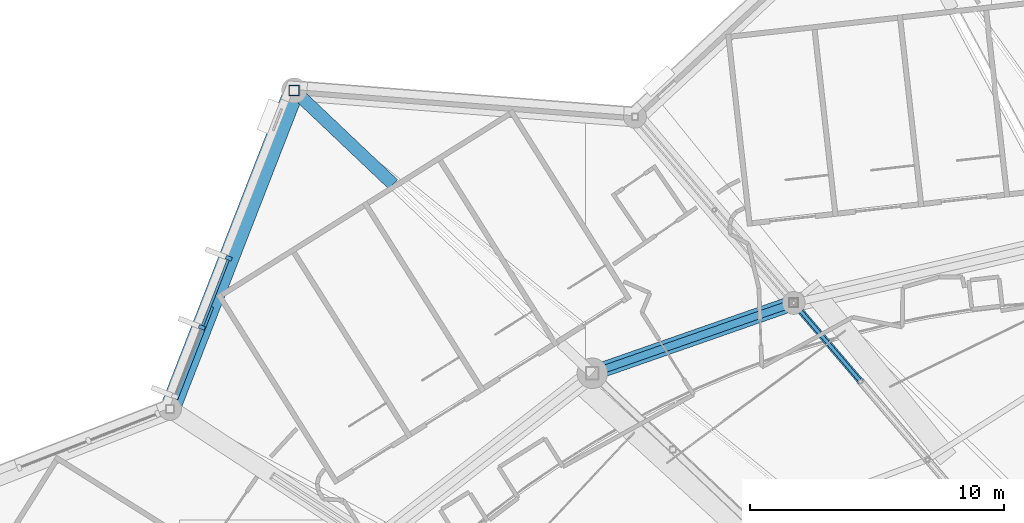
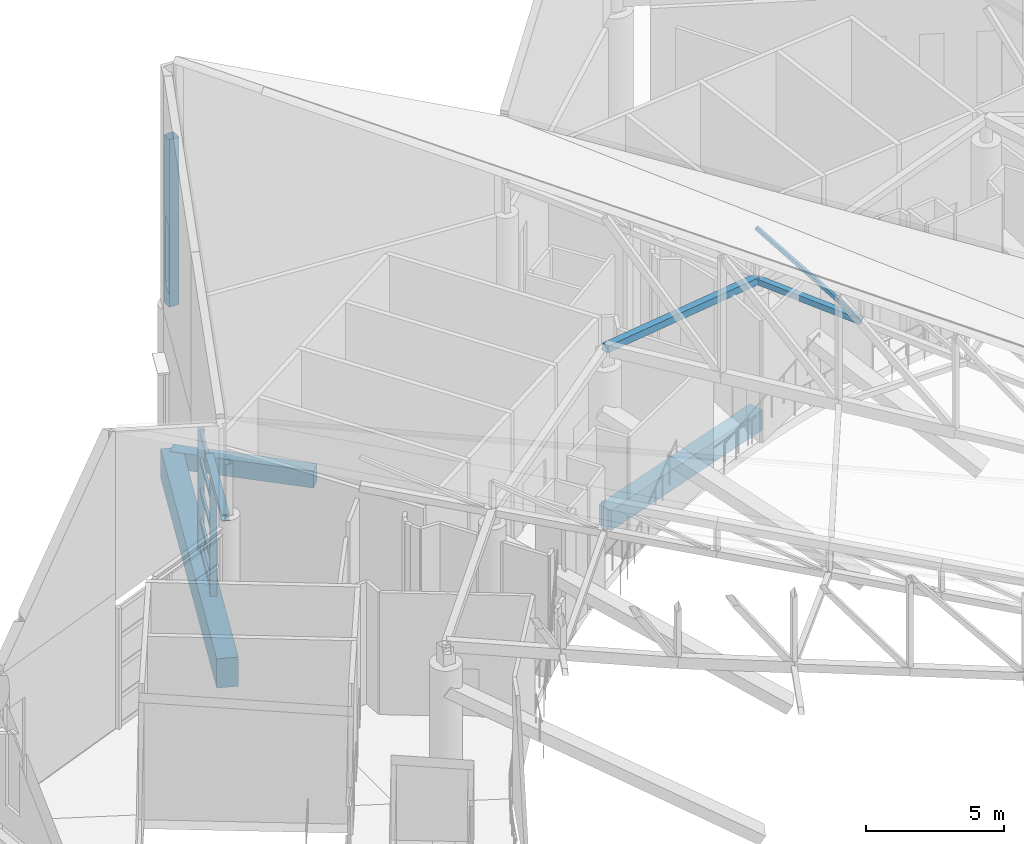
# One storey, part 158 of 344: 11 members, 4 beams, 1 element without a shape of its own.
"""IFC4 building model written with IfcOpenShell, lengths in metres."""

from ifc_helpers import new_model, si_unit, direction, frame, origin, origin_2d, place, context, subcontext, project, spatial, rectangle, hollow_rectangle, i_section, extrude, material, layer, layer_set, material_profile, profile_set, type_object, element, aggregate, save


model = new_model("IFC4")

# Units and contexts
model_context = context("Model", 3, precision=1e-05, world=origin(), true_north=direction((0.0, 1.0)))
body_context = subcontext(model_context, "Body", "Model", "MODEL_VIEW")
ifc_project = project(units=[si_unit("LENGTHUNIT", "METRE"), si_unit("AREAUNIT", "SQUARE_METRE"), si_unit("VOLUMEUNIT", "CUBIC_METRE"), si_unit("PLANEANGLEUNIT", "RADIAN"), si_unit("MASSUNIT", "GRAM", prefix="KILO")], contexts=[model_context])

# Site, building, storey
site_placement = place(None, origin())
site = spatial("IfcSite", under=ifc_project, at=site_placement, CompositionType="ELEMENT")
building_placement = place(site_placement, origin())
building = spatial("IfcBuilding", under=site, at=building_placement, Name="Meseta Stadium", CompositionType="ELEMENT")
storey_placement = place(building_placement, frame((0.0, 0.0, 24.0)))
storey = spatial("IfcBuildingStorey", under=building, at=storey_placement, Name="L04", CompositionType="ELEMENT", Elevation=24.0)

# Beam
ifc_material_1 = material(Name="Steel S355", Category="steel")
ifc_material_profile_1 = material_profile(ifc_material_1, i_section(OverallWidth=0.300048828125, OverallDepth=0.300048828125, WebThickness=0.010986328125, FlangeThickness=0.01904296875, FilletRadius=0.027099609375, at=origin_2d()), Name="HEB 300")
ifc_profile_set_1 = profile_set([ifc_material_profile_1], Name="Steel S355")
beam_type_1 = type_object("IfcBeamType", Name="Atrium lintel beam HEB 300", PredefinedType="BEAM", material=ifc_profile_set_1)
beam_1_placement = place(storey_placement, frame((-80.2021484375, 84.784423828125, 5.5), z_axis=(0.363325172539, 0.931662395399, 0.0), x_axis=(-0.931662395399, 0.363325172539, 0.0)))
element("IfcBeam", 1, at=beam_1_placement, inside=storey, type_object=beam_type_1, Name="Atrium lintel beam F24", PredefinedType="BEAM", context=body_context, shape_type="SweptSolid", body=[
    extrude(i_section(OverallWidth=0.300048828125, OverallDepth=0.300048828125, WebThickness=0.010986328125, FlangeThickness=0.01904296875, FilletRadius=0.027099609375, at=origin_2d()), origin(), (0.0, 0.0, 1.0), 3.900146484375),
])

# Curtain wall, members
ifc_material_2 = material(Name="Steel S355", Category="steel")
ifc_layer = layer(ifc_material_2, 0.300048828125)
ifc_layer_set = layer_set([ifc_layer], Name="Valley atrium curtain wall")
curtain_wall_type = type_object("IfcCurtainWallType", Name="Valley atrium curtain wall", PredefinedType="NOTDEFINED", material=ifc_layer_set)
curtain_wall_placement = place(storey_placement, origin())
curtain_wall = element("IfcCurtainWall", 2, at=curtain_wall_placement, inside=storey, type_object=curtain_wall_type, Name="Valley atrium glazing F24", PredefinedType="NOTDEFINED")
ifc_material_3 = material(Name="Steel S355", Category="steel")
ifc_material_profile_2 = material_profile(ifc_material_3, rectangle(XDim=0.25, YDim=0.14990234375, at=origin_2d()), Name="CW 250x150")
ifc_profile_set_2 = profile_set([ifc_material_profile_2], Name="Steel S355")
member_type_1 = type_object("IfcMemberType", Name="CW mullion bar 250x150", PredefinedType="MULLION", material=ifc_profile_set_2)
member_1_placement = place(storey_placement, frame((-78.049560546875, 90.304443359375, 0.0), z_axis=(0.0, 0.0, 1.0), x_axis=(0.931679912901, -0.363280249803, 0.0)))
member_1 = element("IfcMember", 3, at=member_1_placement, type_object=member_type_1, Name="CWA mullion 1", PredefinedType="MULLION", context=body_context, shape_type="SweptSolid", body=[
    extrude(rectangle(XDim=0.25, YDim=0.14990234375, at=origin_2d()), origin(), (0.0, 0.0, 1.0), 5.35009765625),
])
member_2_placement = place(storey_placement, frame((-79.1123046875, 87.579345703125, 0.0), z_axis=(0.0, 0.0, 1.0), x_axis=(0.931679912901, -0.363280249803, 0.0)))
member_2 = element("IfcMember", 4, at=member_2_placement, type_object=member_type_1, Name="CWA mullion 2", PredefinedType="MULLION", context=body_context, shape_type="SweptSolid", body=[
    extrude(rectangle(XDim=0.25, YDim=0.14990234375, at=origin_2d()), origin(), (0.0, 0.0, 1.0), 5.35009765625),
])
ifc_material_4 = material(Name="Steel S355", Category="steel")
ifc_material_profile_3 = material_profile(ifc_material_4, hollow_rectangle(XDim=0.10009765625, YDim=0.199951171875, WallThickness=0.008056640625, at=origin_2d()), Name="RHS 200x100x8")
ifc_profile_set_3 = profile_set([ifc_material_profile_3], Name="Steel S355")
member_type_2 = type_object("IfcMemberType", Name="CW transom RHS 200x100x8", PredefinedType="USERDEFINED", material=ifc_profile_set_3)
member_3_placement = place(storey_placement, frame((-78.076904296875, 90.234619140625, 0.10009765625), z_axis=(-0.363261275509, -0.931687311127, 0.0), x_axis=(0.931687311127, -0.363261275509, 0.0)))
member_3 = element("IfcMember", 5, at=member_3_placement, type_object=member_type_2, Name="CWA transom 1.1", ObjectType="TRANSOM", PredefinedType="USERDEFINED", context=body_context, shape_type="SweptSolid", body=[
    extrude(hollow_rectangle(XDim=0.10009765625, YDim=0.199951171875, WallThickness=0.008056640625, at=origin_2d()), origin(), (0.0, 0.0, 1.0), 2.77490234375),
])
member_4_placement = place(storey_placement, frame((-78.076904296875, 90.234619140625, 1.33740234375), z_axis=(-0.363261275509, -0.931687311127, 0.0), x_axis=(0.931687311127, -0.363261275509, 0.0)))
member_4 = element("IfcMember", 6, at=member_4_placement, type_object=member_type_2, Name="CWA transom 1.2", ObjectType="TRANSOM", PredefinedType="USERDEFINED", context=body_context, shape_type="SweptSolid", body=[
    extrude(hollow_rectangle(XDim=0.10009765625, YDim=0.199951171875, WallThickness=0.008056640625, at=origin_2d()), origin(), (0.0, 0.0, 1.0), 2.77490234375),
])
member_5_placement = place(storey_placement, frame((-78.076904296875, 90.234619140625, 2.675048828125), z_axis=(-0.363261275509, -0.931687311127, 0.0), x_axis=(0.931687311127, -0.363261275509, 0.0)))
member_5 = element("IfcMember", 7, at=member_5_placement, type_object=member_type_2, Name="CWA transom 1.3", ObjectType="TRANSOM", PredefinedType="USERDEFINED", context=body_context, shape_type="SweptSolid", body=[
    extrude(hollow_rectangle(XDim=0.10009765625, YDim=0.199951171875, WallThickness=0.008056640625, at=origin_2d()), origin(), (0.0, 0.0, 1.0), 2.77490234375),
])
member_6_placement = place(storey_placement, frame((-78.076904296875, 90.234619140625, 4.012451171875), z_axis=(-0.363261275509, -0.931687311127, 0.0), x_axis=(0.931687311127, -0.363261275509, 0.0)))
member_6 = element("IfcMember", 8, at=member_6_placement, type_object=member_type_2, Name="CWA transom 1.4", ObjectType="TRANSOM", PredefinedType="USERDEFINED", context=body_context, shape_type="SweptSolid", body=[
    extrude(hollow_rectangle(XDim=0.10009765625, YDim=0.199951171875, WallThickness=0.008056640625, at=origin_2d()), origin(), (0.0, 0.0, 1.0), 2.77490234375),
])
member_7_placement = place(storey_placement, frame((-78.076904296875, 90.234619140625, 5.25), z_axis=(-0.363261275509, -0.931687311127, 0.0), x_axis=(0.931687311127, -0.363261275509, 0.0)))
member_7 = element("IfcMember", 9, at=member_7_placement, type_object=member_type_2, Name="CWA transom 1.5", ObjectType="TRANSOM", PredefinedType="USERDEFINED", context=body_context, shape_type="SweptSolid", body=[
    extrude(hollow_rectangle(XDim=0.10009765625, YDim=0.199951171875, WallThickness=0.008056640625, at=origin_2d()), origin(), (0.0, 0.0, 1.0), 2.77490234375),
])
aggregate(curtain_wall, [member_1, member_2, member_3, member_4, member_5, member_6, member_7])

# Beams
ifc_material_5 = material(Name="Concrete C40/50", Category="concrete")
ifc_material_profile_4 = material_profile(ifc_material_5, rectangle(XDim=0.5, YDim=0.75, at=origin_2d()), Name="RC 500x750")
ifc_profile_set_4 = profile_set([ifc_material_profile_4], Name="Concrete C40/50")
beam_type_2 = type_object("IfcBeamType", Name="RC beam 500x750", PredefinedType="BEAM", material=ifc_profile_set_4)
beam_2_placement = place(storey_placement, frame((-71.57958984375, 93.214599609375, -0.77490234375), z_axis=(-0.725596444109, 0.688120483852, 0.0), x_axis=(-0.688120483852, -0.725596444109, 0.0)))
element("IfcBeam", 10, at=beam_2_placement, inside=storey, type_object=beam_type_2, Name="L04 radial beam frame 24 line P to R", PredefinedType="BEAM", context=body_context, shape_type="SweptSolid", body=[
    extrude(rectangle(XDim=0.5, YDim=0.75, at=origin_2d()), origin(), (0.0, 0.0, 1.0), 5.367919921875),
])
ifc_material_6 = material(Name="Concrete C40/50", Category="concrete")
ifc_material_profile_5 = material_profile(ifc_material_6, rectangle(XDim=0.60009765625, YDim=0.89990234375, at=origin_2d()), Name="RC 600x900")
ifc_profile_set_5 = profile_set([ifc_material_profile_5], Name="Concrete C40/50")
beam_type_3 = type_object("IfcBeamType", Name="RC beam 600x900", PredefinedType="BEAM", material=ifc_profile_set_5)
beam_3_placement = place(storey_placement, frame((-55.799560546875, 88.541748046875, -0.85009765625), z_axis=(-0.944055708451, -0.329786020537, 0.0), x_axis=(0.329786020537, -0.944055708451, 0.0)))
element("IfcBeam", 11, at=beam_3_placement, inside=storey, type_object=beam_type_3, Name="L04 ring beam frame 23 line P", PredefinedType="BEAM", context=body_context, shape_type="SweptSolid", body=[
    extrude(rectangle(XDim=0.60009765625, YDim=0.89990234375, at=origin_2d()), origin(), (0.0, 0.0, 1.0), 8.401611328125),
])
ifc_material_7 = material(Name="Concrete C40/50", Category="concrete")
ifc_material_profile_6 = material_profile(ifc_material_7, rectangle(XDim=0.800048828125, YDim=1.300048828125, at=origin_2d()), Name="RC 800x1300")
ifc_profile_set_6 = profile_set([ifc_material_profile_6], Name="Concrete C40/50")
beam_type_4 = type_object("IfcBeamType", Name="RC beam 800x1300", PredefinedType="BEAM", material=ifc_profile_set_6)
beam_4_placement = place(storey_placement, frame((-75.474609375, 96.908447265625, -1.050048828125), z_axis=(-0.363287980868, -0.93167689837, 0.0), x_axis=(0.93167689837, -0.363287980868, 0.0)))
element("IfcBeam", 12, at=beam_4_placement, inside=storey, type_object=beam_type_4, Name="L04 ring beam frame 24 line R", PredefinedType="BEAM", context=body_context, shape_type="SweptSolid", body=[
    extrude(rectangle(XDim=0.800048828125, YDim=1.300048828125, at=origin_2d()), origin(), (0.0, 0.0, 1.0), 13.462890625),
])

# Members
ifc_material_8 = material(Name="Steel S355", Category="steel")
ifc_material_profile_7 = material_profile(ifc_material_8, hollow_rectangle(XDim=0.139892578125, YDim=0.139892578125, WallThickness=0.0048828125, at=origin_2d()), Name="SHS 140x140x5")
ifc_profile_set_7 = profile_set([ifc_material_profile_7], Name="Steel S355")
member_type_3 = type_object("IfcMemberType", Name="SHS 140x140x5 diagonal", PredefinedType="BRACE", material=ifc_profile_set_7)
member_8_placement = place(storey_placement, frame((-53.164794921875, 85.452392578125, 4.373291015625), z_axis=(-0.511339991077, 0.599564144468, 0.615673818019), x_axis=(-0.760867131587, -0.648907703816, 0.0)))
element("IfcMember", 13, at=member_8_placement, inside=storey, type_object=member_type_3, Name="ROOF TRUSS RT-23 diagonal", PredefinedType="BRACE", context=body_context, shape_type="SweptSolid", body=[
    extrude(hollow_rectangle(XDim=0.139892578125, YDim=0.139892578125, WallThickness=0.0048828125, at=origin_2d()), origin(), (0.0, 0.0, 1.0), 5.152587890625),
])
ifc_material_9 = material(Name="Steel S355", Category="steel")
ifc_material_profile_8 = material_profile(ifc_material_9, hollow_rectangle(XDim=0.25, YDim=0.25, WallThickness=0.010009765625, at=origin_2d()), Name="SHS 250x250x10")
ifc_profile_set_8 = profile_set([ifc_material_profile_8], Name="Steel S355")
member_type_4 = type_object("IfcMemberType", Name="SHS 250x250x10 bottom chord", PredefinedType="CHORD", material=ifc_profile_set_8)
member_9_placement = place(storey_placement, frame((-53.164794921875, 85.452392578125, 4.373291015625), z_axis=(-0.634431456669, 0.74389322208, 0.210046663703), x_axis=(-0.760867131587, -0.648907703816, 0.0)))
element("IfcMember", 14, at=member_9_placement, inside=storey, type_object=member_type_4, Name="ROOF TRUSS RT-23 bottom chord", PredefinedType="CHORD", context=body_context, shape_type="SweptSolid", body=[
    extrude(hollow_rectangle(XDim=0.25, YDim=0.25, WallThickness=0.010009765625, at=origin_2d()), origin(), (0.0, 0.0, 1.0), 4.153076171875),
])
ifc_material_10 = material(Name="Steel S355", Category="steel")
ifc_material_profile_9 = material_profile(ifc_material_10, hollow_rectangle(XDim=0.300048828125, YDim=0.300048828125, WallThickness=0.010009765625, at=origin_2d()), Name="SHS 300x300x10")
ifc_profile_set_9 = profile_set([ifc_material_profile_9], Name="Steel S355")
member_type_5 = type_object("IfcMemberType", Name="SHS 300x300x10 pivot strut", PredefinedType="STRUT", material=ifc_profile_set_9)
member_10_placement = place(storey_placement, frame((-55.799560546875, 88.541748046875, 5.24560546875), z_axis=(-0.931001753976, -0.325225895896, 0.165722209531), x_axis=(0.329786020537, -0.944055708451, 0.0)))
element("IfcMember", 15, at=member_10_placement, inside=storey, type_object=member_type_5, Name="ROOF PIVOT STRUT RT-23/24", PredefinedType="STRUT", context=body_context, shape_type="SweptSolid", body=[
    extrude(hollow_rectangle(XDim=0.300048828125, YDim=0.300048828125, WallThickness=0.010009765625, at=origin_2d()), origin(), (0.0, 0.0, 1.0), 8.51953125),
])
ifc_material_11 = material(Name="Steel S355", Category="steel")
ifc_material_profile_10 = material_profile(ifc_material_11, hollow_rectangle(XDim=0.39990234375, YDim=0.39990234375, WallThickness=0.01416015625, at=origin_2d()), Name="SHS 400x400x14.2")
ifc_profile_set_10 = profile_set([ifc_material_profile_10], Name="Steel S355")
member_type_6 = type_object("IfcMemberType", Name="SHS 400x400x14.2 rim post", PredefinedType="POST", material=ifc_profile_set_10)
member_11_placement = place(storey_placement, frame((-75.474609375, 96.908447265625, 6.0), z_axis=(0.0, 0.0, 1.0), x_axis=(1.0, 0.0, 0.0)))
element("IfcMember", 16, at=member_11_placement, inside=storey, type_object=member_type_6, Name="ROOF RIM POST RT-24", PredefinedType="POST", context=body_context, shape_type="SweptSolid", body=[
    extrude(hollow_rectangle(XDim=0.39990234375, YDim=0.39990234375, WallThickness=0.01416015625, at=origin_2d()), origin(), (0.0, 0.0, 1.0), 7.423583984375),
])

save(model, "model.ifc")
